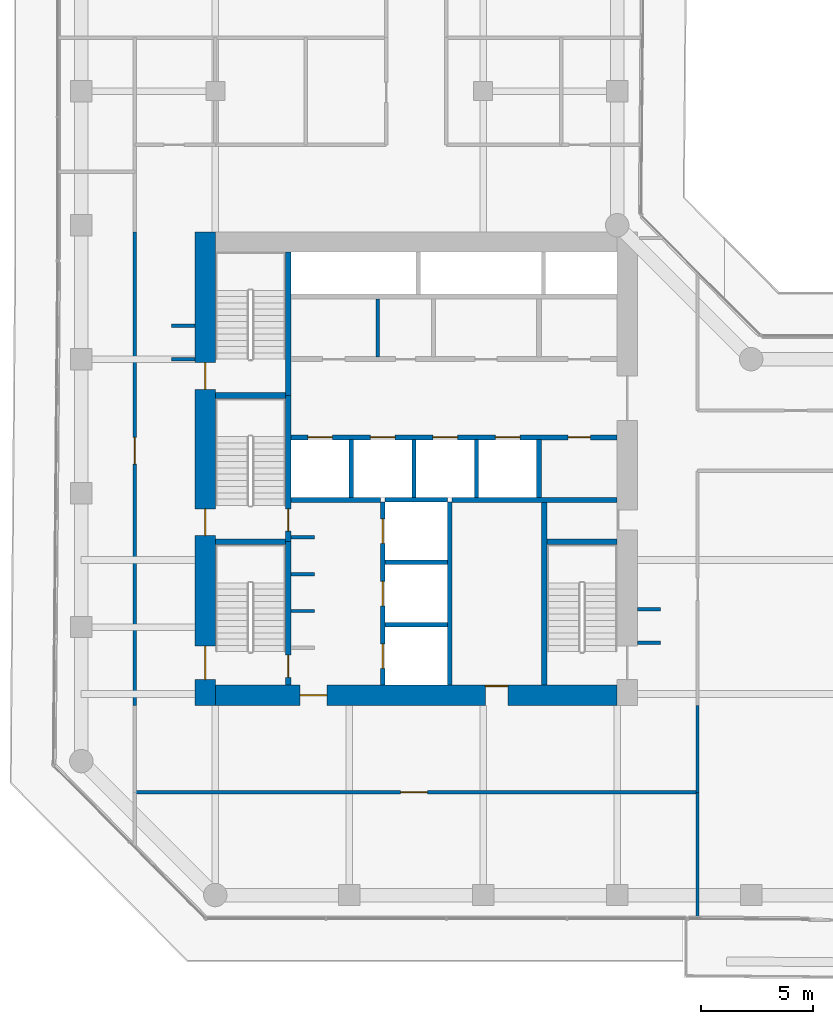
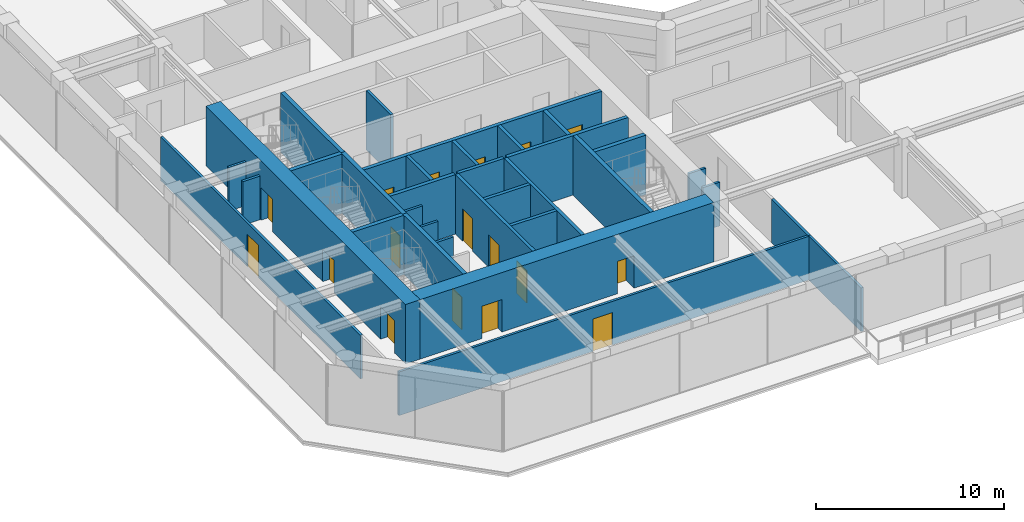
# One storey, part 23 of 29: 33 walls, 17 doors, 17 openings.
"""IFC4 building model written with IfcOpenShell, lengths in metres."""

import ifcopenshell
import ifcopenshell.guid

model = None  # the IFC model being written
_history = None  # IfcOwnerHistory: only IFC2X3 demands one
_inside = {}  # id of a spatial element -> (the spatial element, [elements in it])
_under = {}  # id of a project, library or spatial element -> (it, [spatial elements below it])
_declared = {}  # id of a project -> (the project, [libraries it declares])
_typed = {}  # id of a type object -> (the type object, [elements of that type])
_made_of = {}  # id of a material, layer set ... -> (it, [elements and type objects made of it])


def new_model(schema):
    """Start an empty IFC model of exactly this schema.

    Asked for "IFC4X3", IfcOpenShell would pick the latest addendum, in which some entities
    have other attributes; the version numbers below select the first issue.
    IFC2X3 requires an IfcOwnerHistory on every rooted entity: one is made here for all.
    """
    global model, _history
    if schema == "IFC4X3":
        model = ifcopenshell.file(schema_version=(4, 3, 0, 0))
    else:
        model = ifcopenshell.file(schema=schema)
    _inside.clear()
    _under.clear()
    _declared.clear()
    _typed.clear()
    _made_of.clear()
    _history = None
    if model.schema == "IFC2X3":
        org = make("IfcOrganization", Name="unknown")
        user = make(
            "IfcPersonAndOrganization",
            ThePerson=make("IfcPerson", FamilyName="unknown"),
            TheOrganization=org,
        )
        app = make(
            "IfcApplication",
            ApplicationDeveloper=org,
            Version="unknown",
            ApplicationFullName="unknown",
            ApplicationIdentifier="unknown",
        )
        _history = make(
            "IfcOwnerHistory",
            OwningUser=user,
            OwningApplication=app,
            ChangeAction="ADDED",
            CreationDate=0,
        )
    return model


def make(cls, **values):
    """One entity of the class cls with the attributes given. An attribute that is None is left unset."""
    return model.create_entity(
        cls, **{name: value for name, value in values.items() if value is not None}
    )


def rooted(cls, **values):
    """An entity with a GlobalId (a new one), such as an element, a storey or a relation."""
    return make(cls, GlobalId=ifcopenshell.guid.new(), OwnerHistory=_history, **values)


def si_unit(unit_type, name, prefix=None):
    """IfcSIUnit, for example si_unit("LENGTHUNIT", "METRE", prefix="MILLI")."""
    return make("IfcSIUnit", UnitType=unit_type, Prefix=prefix, Name=name)


def assignment(units):
    """IfcUnitAssignment: the units of a project."""
    return None if units is None else make("IfcUnitAssignment", Units=units)


def point(xyz):
    """IfcCartesianPoint."""
    return None if xyz is None else make("IfcCartesianPoint", Coordinates=xyz)


def direction(xyz):
    """IfcDirection."""
    return None if xyz is None else make("IfcDirection", DirectionRatios=xyz)


def frame(location, z_axis=None, x_axis=None):
    """IfcAxis2Placement3D, a coordinate frame: its origin and axes. An axis left out is left unset."""
    return make(
        "IfcAxis2Placement3D",
        Location=point(location),
        Axis=direction(z_axis),
        RefDirection=direction(x_axis),
    )


def frame_2d(location, x_axis=None):
    """IfcAxis2Placement2D, a coordinate frame in the plane: its origin and x axis."""
    return make(
        "IfcAxis2Placement2D", Location=point(location), RefDirection=direction(x_axis)
    )


def origin():
    """The frame at (0, 0, 0) with its axes left unset."""
    return frame((0.0, 0.0, 0.0))


def place(relative_to, where):
    """IfcLocalPlacement: puts the frame where relative to a parent placement (None: the world)."""
    return make(
        "IfcLocalPlacement", PlacementRelTo=relative_to, RelativePlacement=where
    )


def context(
    kind, dimensions, precision=None, world=None, true_north=None, identifier=None
):
    """IfcGeometricRepresentationContext, for example the 3D "Model" context."""
    return make(
        "IfcGeometricRepresentationContext",
        ContextIdentifier=identifier,
        ContextType=kind,
        CoordinateSpaceDimension=dimensions,
        Precision=precision,
        WorldCoordinateSystem=world,
        TrueNorth=true_north,
    )


def subcontext(parent, identifier, kind, view, scale=None):
    """IfcGeometricRepresentationSubContext, for example "Body" below "Model"."""
    return make(
        "IfcGeometricRepresentationSubContext",
        ContextIdentifier=identifier,
        ContextType=kind,
        ParentContext=parent,
        TargetScale=scale,
        TargetView=view,
    )


def project(units=None, contexts=None):
    """IfcProject with its units and contexts."""
    return rooted(
        "IfcProject",
        Name="project",
        RepresentationContexts=contexts,
        UnitsInContext=assignment(units),
    )


def spatial(cls, under=None, at=None, **own):
    """A site, building, storey or space (cls), placed at a placement, below another one or the project."""
    s = rooted(cls, ObjectPlacement=at, **own)
    if under is not None:
        _under.setdefault(under.id(), (under, []))[1].append(s)
    return s


def profile(cls, at=None, kind="AREA", **sizes):
    """A parametric profile (cls). Its sizes go by their IFC names, for example OverallWidth=200.0."""
    return make(cls, ProfileType=kind, Position=at, **sizes)


def rectangle(**sizes):
    """IfcRectangleProfileDef."""
    return profile("IfcRectangleProfileDef", **sizes)


def extrude(swept, where, along, depth):
    """IfcExtrudedAreaSolid: the profile swept, set in the frame where, extruded along a direction by depth."""
    return make(
        "IfcExtrudedAreaSolid",
        SweptArea=swept,
        Position=where,
        ExtrudedDirection=direction(along),
        Depth=depth,
    )


def shape(context_of_items, identifier, shape_type, items):
    """IfcShapeRepresentation: the items that make up one representation, for example the "Body"."""
    return make(
        "IfcShapeRepresentation",
        ContextOfItems=context_of_items,
        RepresentationIdentifier=identifier,
        RepresentationType=shape_type,
        Items=items,
    )


def material(Name=None, Category=None):
    """IfcMaterial."""
    return make("IfcMaterial", Name=Name, Category=Category)


def layer(
    of_material, thickness, ventilated=None, Name=None, Category=None, Priority=None
):
    """IfcMaterialLayer: one layer of a wall or slab, of a material (None: an air gap)."""
    return make(
        "IfcMaterialLayer",
        Material=of_material,
        LayerThickness=thickness,
        IsVentilated=ventilated,
        Name=Name,
        Category=Category,
        Priority=Priority,
    )


def layer_set(layers, Name=None):
    """IfcMaterialLayerSet."""
    return make("IfcMaterialLayerSet", MaterialLayers=layers, LayerSetName=Name)


def made_of(thing, what):
    """Note that an element or type object is made of a material, layer set ...; save() writes the relation."""
    if what is not None:
        _made_of.setdefault(what.id(), (what, []))[1].append(thing)
    return thing


def type_object(cls, material=None, **own):
    """A type object (cls), such as IfcWallType, which elements share."""
    return made_of(rooted(cls, **own), material)


def element(
    cls,
    number,
    at=None,
    inside=None,
    cuts=None,
    type_object=None,
    material=None,
    context=None,
    identifier="Body",
    shape_type=None,
    held_by="IfcProductDefinitionShape",
    body=None,
    shapes=None,
    **own,
):
    """One element of the class cls, such as IfcWall. Its Tag is "e" and its number.

    at: its placement. inside: the storey or other place that contains it. cuts: it is an
    opening in that element (IfcRelVoidsElement). A single representation is given by context,
    identifier, shape_type and body (its items); several are given by shapes. held_by: the class
    of the entity that holds the representations. save() writes the other relations.
    """
    e = rooted(cls, Tag="e%d" % number, ObjectPlacement=at, **own)
    if body is not None:
        shapes = [shape(context, identifier, shape_type, body)]
    if shapes is not None:
        e.Representation = make(held_by, Representations=shapes)
    if inside is not None:
        _inside.setdefault(inside.id(), (inside, []))[1].append(e)
    if cuts is not None:
        rooted(
            "IfcRelVoidsElement", RelatingBuildingElement=cuts, RelatedOpeningElement=e
        )
    if type_object is not None:
        _typed.setdefault(type_object.id(), (type_object, []))[1].append(e)
    return made_of(e, material)


def fill(opening, filler):
    """IfcRelFillsElement: the door or window that sits in an opening."""
    return rooted(
        "IfcRelFillsElement",
        RelatingOpeningElement=opening,
        RelatedBuildingElement=filler,
    )


def aggregate(whole, parts):
    """IfcRelAggregates: a whole, such as a stair, and the parts it consists of."""
    return rooted("IfcRelAggregates", RelatingObject=whole, RelatedObjects=parts)


def save(model, path):
    """Write the relations noted so far, then the file.

    IfcRelAggregates (storeys below a building ...), IfcRelContainedInSpatialStructure (elements
    in a storey), IfcRelDefinesByType, IfcRelAssociatesMaterial and IfcRelDeclares: one each for
    every whole, place, type object, material and project.
    """
    for whole, parts in _under.values():
        aggregate(whole, parts)
    for where, things in _inside.values():
        rooted(
            "IfcRelContainedInSpatialStructure",
            RelatedElements=things,
            RelatingStructure=where,
        )
    for kind, things in _typed.values():
        rooted("IfcRelDefinesByType", RelatedObjects=things, RelatingType=kind)
    for what, things in _made_of.values():
        rooted("IfcRelAssociatesMaterial", RelatedObjects=things, RelatingMaterial=what)
    for by, libraries in _declared.values():
        rooted("IfcRelDeclares", RelatingContext=by, RelatedDefinitions=libraries)
    model.write(path)


model = new_model("IFC4")

# Units and contexts
model_context = context("Model", 3, precision=1e-05, world=origin(), true_north=direction((0.0, 1.0)))
body_context = subcontext(model_context, "Body", "Model", "MODEL_VIEW")
ifc_project = project(units=[si_unit("LENGTHUNIT", "METRE"), si_unit("AREAUNIT", "SQUARE_METRE"), si_unit("VOLUMEUNIT", "CUBIC_METRE"), si_unit("PLANEANGLEUNIT", "RADIAN"), si_unit("MASSUNIT", "GRAM", prefix="KILO")], contexts=[model_context])

# Site, building, storey
site_placement = place(None, origin())
site = spatial("IfcSite", under=ifc_project, at=site_placement, CompositionType="ELEMENT")
building_placement = place(site_placement, origin())
building = spatial("IfcBuilding", under=site, at=building_placement, Name="Welwitschia Terrace Campus", CompositionType="ELEMENT")
storey_placement = place(building_placement, frame((0.0, 0.0, 50.0)))
storey = spatial("IfcBuildingStorey", under=building, at=storey_placement, Name="L11", CompositionType="ELEMENT", Elevation=50.0)

# Walls
ifc_material_1 = material(Name="Concrete C32/40", Category="concrete")
ifc_layer_1 = layer(ifc_material_1, 0.175048828125)
ifc_layer_set_1 = layer_set([ifc_layer_1], Name="Concrete C32/40")
wall_type_1 = type_object("IfcWallType", Name="Core partition 175 Concrete C32/40", PredefinedType="PARTITIONING", material=ifc_layer_set_1)
wall_1_placement = place(storey_placement, frame((13.27490234375, 20.10009765625, 0.0), z_axis=(0.0, 0.0, 1.0), x_axis=(0.0, 1.0, 0.0)))
element("IfcWall", 1, at=wall_1_placement, inside=storey, type_object=wall_type_1, Name="Core partition", PredefinedType="PARTITIONING", context=body_context, shape_type="SweptSolid", body=[
    extrude(rectangle(XDim=2.599853515625, YDim=0.175048828125, at=frame_2d((1.2998046875, 0.0))), origin(), (0.0, 0.0, 1.0), 3.85009765625),
])
ifc_material_2 = material(Name="Concrete C32/40", Category="concrete")
ifc_layer_2 = layer(ifc_material_2, 0.22509765625)
ifc_layer_set_2 = layer_set([ifc_layer_2], Name="Concrete C32/40")
wall_type_2 = type_object("IfcWallType", Name="Core partition 225 Concrete C32/40", PredefinedType="PARTITIONING", material=ifc_layer_set_2)
wall_2_placement = place(storey_placement, frame((9.39990234375, 13.699951171875, 0.0), z_axis=(0.0, 0.0, 1.0), x_axis=(1.0, 0.0, 0.0)))
element("IfcWall", 2, at=wall_2_placement, inside=storey, type_object=wall_type_2, Name="Shaft wall", PredefinedType="PARTITIONING", context=body_context, shape_type="SweptSolid", body=[
    extrude(rectangle(XDim=4.0, YDim=0.22509765625, at=frame_2d((2.0, 0.0))), origin(), (0.0, 0.0, 1.0), 3.85009765625),
])
wall_3_placement = place(storey_placement, frame((16.60009765625, 13.699951171875, 0.0), z_axis=(0.0, 0.0, 1.0), x_axis=(1.0, 0.0, 0.0)))
element("IfcWall", 3, at=wall_3_placement, inside=storey, type_object=wall_type_2, Name="Shaft wall", PredefinedType="PARTITIONING", context=body_context, shape_type="SweptSolid", body=[
    extrude(rectangle(XDim=7.39990234375, YDim=0.22509765625, at=frame_2d((3.699951171875, 0.0))), origin(), (0.0, 0.0, 1.0), 3.85009765625),
])

# Wall, openings, doors
wall_4_placement = place(storey_placement, frame((9.39990234375, 16.5, 0.0), z_axis=(0.0, 0.0, 1.0), x_axis=(1.0, 0.0, 0.0)))
wall_4 = element("IfcWall", 4, at=wall_4_placement, inside=storey, type_object=wall_type_2, Name="Shaft wall", PredefinedType="PARTITIONING", context=body_context, shape_type="SweptSolid", body=[
    extrude(rectangle(XDim=14.60009765625, YDim=0.22509765625, at=frame_2d((7.300048828125, 0.0))), origin(), (0.0, 0.0, 1.0), 3.85009765625),
])
opening_1_placement = place(wall_4_placement, frame((0.75, 0.0, 0.0)))
opening_1 = element("IfcOpeningElement", 5, at=opening_1_placement, cuts=wall_4, Name="Opening LD", PredefinedType="OPENING", context=body_context, shape_type="SweptSolid", body=[
    extrude(rectangle(XDim=1.10009765625, YDim=2.10009765625, at=frame_2d((0.550048828125, 1.050048828125))), frame((0.0, 0.12255859375, 0.0), z_axis=(0.0, -1.0, 0.0), x_axis=(1.0, 0.0, 0.0)), (0.0, 0.0, 1.0), 0.2451171875),
])
opening_2_placement = place(wall_4_placement, frame((3.550048828125, 0.0, 0.0)))
opening_2 = element("IfcOpeningElement", 6, at=opening_2_placement, cuts=wall_4, Name="Opening LD", PredefinedType="OPENING", context=body_context, shape_type="SweptSolid", body=[
    extrude(rectangle(XDim=1.10009765625, YDim=2.10009765625, at=frame_2d((0.550048828125, 1.050048828125))), frame((0.0, 0.12255859375, 0.0), z_axis=(0.0, -1.0, 0.0), x_axis=(1.0, 0.0, 0.0)), (0.0, 0.0, 1.0), 0.2451171875),
])
opening_3_placement = place(wall_4_placement, frame((6.35009765625, 0.0, 0.0)))
opening_3 = element("IfcOpeningElement", 7, at=opening_3_placement, cuts=wall_4, Name="Opening LD", PredefinedType="OPENING", context=body_context, shape_type="SweptSolid", body=[
    extrude(rectangle(XDim=1.10009765625, YDim=2.10009765625, at=frame_2d((0.550048828125, 1.050048828125))), frame((0.0, 0.12255859375, 0.0), z_axis=(0.0, -1.0, 0.0), x_axis=(1.0, 0.0, 0.0)), (0.0, 0.0, 1.0), 0.2451171875),
])
opening_4_placement = place(wall_4_placement, frame((9.14990234375, 0.0, 0.0)))
opening_4 = element("IfcOpeningElement", 8, at=opening_4_placement, cuts=wall_4, Name="Opening LD", PredefinedType="OPENING", context=body_context, shape_type="SweptSolid", body=[
    extrude(rectangle(XDim=1.10009765625, YDim=2.10009765625, at=frame_2d((0.550048828125, 1.050048828125))), frame((0.0, 0.12255859375, 0.0), z_axis=(0.0, -1.0, 0.0), x_axis=(1.0, 0.0, 0.0)), (0.0, 0.0, 1.0), 0.2451171875),
])
opening_5_placement = place(wall_4_placement, frame((12.39990234375, 0.0, 0.0)))
opening_5 = element("IfcOpeningElement", 9, at=opening_5_placement, cuts=wall_4, Name="Opening DR10", PredefinedType="OPENING", context=body_context, shape_type="SweptSolid", body=[
    extrude(rectangle(XDim=1.0, YDim=2.10009765625, at=frame_2d((0.5, 1.050048828125))), frame((0.0, 0.12255859375, 0.0), z_axis=(0.0, -1.0, 0.0), x_axis=(1.0, 0.0, 0.0)), (0.0, 0.0, 1.0), 0.2451171875),
])
ifc_material_3 = material(Name="Steel S275", Category="steel")
door_type_1 = type_object("IfcDoorType", Name="Core door DR10", OperationType="SINGLE_SWING_LEFT", PredefinedType="DOOR", material=ifc_material_3)
door_1_placement = place(opening_5_placement, origin())
door_1 = element("IfcDoor", 10, at=door_1_placement, inside=storey, type_object=door_type_1, Name="Door EL-D", OperationType="SINGLE_SWING_RIGHT", OverallHeight=2.10009765625, OverallWidth=1.0, PredefinedType="DOOR", context=body_context, shape_type="SweptSolid", body=[
    extrude(rectangle(XDim=1.0, YDim=2.10009765625, at=frame_2d((0.5, 1.050048828125))), frame((0.0, 0.02490234375, 0.0), z_axis=(0.0, -1.0, 0.0), x_axis=(1.0, 0.0, 0.0)), (0.0, 0.0, 1.0), 0.050048828125),
])
fill(opening_5, door_1)
ifc_material_4 = material(Name="Stainless steel 304", Category="steel")
door_type_2 = type_object("IfcDoorType", Name="Lift landing door", OperationType="DOUBLE_DOOR_SLIDING", PredefinedType="DOOR", material=ifc_material_4)
door_2_placement = place(opening_1_placement, origin())
door_2 = element("IfcDoor", 11, at=door_2_placement, inside=storey, type_object=door_type_2, Name="Landing door LR1", OperationType="DOUBLE_DOOR_SLIDING", OverallHeight=2.10009765625, OverallWidth=1.10009765625, PredefinedType="DOOR", context=body_context, shape_type="SweptSolid", body=[
    extrude(rectangle(XDim=1.10009765625, YDim=2.10009765625, at=frame_2d((0.550048828125, 1.050048828125))), frame((0.0, 0.02490234375, 0.0), z_axis=(0.0, -1.0, 0.0), x_axis=(1.0, 0.0, 0.0)), (0.0, 0.0, 1.0), 0.050048828125),
])
fill(opening_1, door_2)
door_3_placement = place(opening_2_placement, origin())
door_3 = element("IfcDoor", 12, at=door_3_placement, inside=storey, type_object=door_type_2, Name="Landing door LR2", OperationType="DOUBLE_DOOR_SLIDING", OverallHeight=2.10009765625, OverallWidth=1.10009765625, PredefinedType="DOOR", context=body_context, shape_type="SweptSolid", body=[
    extrude(rectangle(XDim=1.10009765625, YDim=2.10009765625, at=frame_2d((0.550048828125, 1.050048828125))), frame((0.0, 0.02490234375, 0.0), z_axis=(0.0, -1.0, 0.0), x_axis=(1.0, 0.0, 0.0)), (0.0, 0.0, 1.0), 0.050048828125),
])
fill(opening_2, door_3)
door_4_placement = place(opening_3_placement, origin())
door_4 = element("IfcDoor", 13, at=door_4_placement, inside=storey, type_object=door_type_2, Name="Landing door LR3", OperationType="DOUBLE_DOOR_SLIDING", OverallHeight=2.10009765625, OverallWidth=1.10009765625, PredefinedType="DOOR", context=body_context, shape_type="SweptSolid", body=[
    extrude(rectangle(XDim=1.10009765625, YDim=2.10009765625, at=frame_2d((0.550048828125, 1.050048828125))), frame((0.0, 0.02490234375, 0.0), z_axis=(0.0, -1.0, 0.0), x_axis=(1.0, 0.0, 0.0)), (0.0, 0.0, 1.0), 0.050048828125),
])
fill(opening_3, door_4)
door_5_placement = place(opening_4_placement, origin())
door_5 = element("IfcDoor", 14, at=door_5_placement, inside=storey, type_object=door_type_2, Name="Landing door LR4", OperationType="DOUBLE_DOOR_SLIDING", OverallHeight=2.10009765625, OverallWidth=1.10009765625, PredefinedType="DOOR", context=body_context, shape_type="SweptSolid", body=[
    extrude(rectangle(XDim=1.10009765625, YDim=2.10009765625, at=frame_2d((0.550048828125, 1.050048828125))), frame((0.0, 0.02490234375, 0.0), z_axis=(0.0, -1.0, 0.0), x_axis=(1.0, 0.0, 0.0)), (0.0, 0.0, 1.0), 0.050048828125),
])
fill(opening_4, door_5)

# Walls
wall_5_placement = place(storey_placement, frame((20.5, 13.800048828125, 0.0), z_axis=(0.0, 0.0, 1.0), x_axis=(0.0, 1.0, 0.0)))
element("IfcWall", 15, at=wall_5_placement, inside=storey, type_object=wall_type_2, Name="Shaft wall", PredefinedType="PARTITIONING", context=body_context, shape_type="SweptSolid", body=[
    extrude(rectangle(XDim=2.599853515625, YDim=0.22509765625, at=frame_2d((1.2998046875, 0.0))), origin(), (0.0, 0.0, 1.0), 3.85009765625),
])
ifc_material_5 = material(Name="Concrete C50/60", Category="concrete")
ifc_layer_3 = layer(ifc_material_5, 0.14990234375)
ifc_layer_set_3 = layer_set([ifc_layer_3], Name="Concrete C50/60")
wall_type_3 = type_object("IfcWallType", Name="Core wall 150 Concrete C50/60", PredefinedType="SHEAR", material=ifc_layer_set_3)
for number, where, z_axis, x_axis, name in (
    (16, (9.39990234375, 8.72509765625, 0.0), (0.0, 0.0, 1.0), (1.0, 0.0, 0.0), "Core wall"),
    (17, (9.39990234375, 10.375, 0.0), (0.0, 0.0, 1.0), (1.0, 0.0, 0.0), "Core wall"),
    (18, (9.39990234375, 12.02490234375, 0.0), (0.0, 0.0, 1.0), (1.0, 0.0, 0.0), "Core wall"),
):
    element("IfcWall", number, at=place(storey_placement, frame(where, z_axis=z_axis, x_axis=x_axis)), inside=storey, type_object=wall_type_3, Name=name, PredefinedType="SHEAR", context=body_context, shape_type="SweptSolid", body=[
        extrude(rectangle(XDim=1.050048828125, YDim=0.14990234375, at=frame_2d((0.52490234375, 0.0))), origin(), (0.0, 0.0, 1.0), 3.85009765625),
    ])
ifc_material_6 = material(Name="Concrete C50/60", Category="concrete")
ifc_layer_4 = layer(ifc_material_6, 0.199951171875)
ifc_layer_set_4 = layer_set([ifc_layer_4], Name="Concrete C50/60")
wall_type_4 = type_object("IfcWallType", Name="Core wall 200 Concrete C50/60", PredefinedType="SHEAR", material=ifc_layer_set_4)
for number, where, z_axis, x_axis, name in (
    (19, (13.60009765625, 8.10009765625, 0.0), (0.0, 0.0, 1.0), (1.0, 0.0, 0.0), "Core wall"),
    (20, (13.60009765625, 10.89990234375, 0.0), (0.0, 0.0, 1.0), (1.0, 0.0, 0.0), "Core wall"),
    (21, (13.60009765625, 13.699951171875, 0.0), (0.0, 0.0, 1.0), (1.0, 0.0, 0.0), "Core wall"),
):
    element("IfcWall", number, at=place(storey_placement, frame(where, z_axis=z_axis, x_axis=x_axis)), inside=storey, type_object=wall_type_4, Name=name, PredefinedType="SHEAR", context=body_context, shape_type="SweptSolid", body=[
        extrude(rectangle(XDim=2.7998046875, YDim=0.199951171875, at=frame_2d((1.39990234375, 0.0))), origin(), (0.0, 0.0, 1.0), 3.85009765625),
    ])

# Wall, openings, doors
wall_6_placement = place(storey_placement, frame((13.5, 5.39990234375, 0.0), z_axis=(0.0, 0.0, 1.0), x_axis=(0.0, 1.0, 0.0)))
wall_6 = element("IfcWall", 22, at=wall_6_placement, inside=storey, type_object=wall_type_4, Name="Core wall", PredefinedType="SHEAR", context=body_context, shape_type="SweptSolid", body=[
    extrude(rectangle(XDim=8.2001953125, YDim=0.199951171875, at=frame_2d((4.10009765625, 0.0))), origin(), (0.0, 0.0, 1.0), 3.85009765625),
])
opening_6_placement = place(wall_6_placement, frame((0.75, 0.0, 0.0)))
opening_6 = element("IfcOpeningElement", 23, at=opening_6_placement, cuts=wall_6, Name="Opening LD", PredefinedType="OPENING", context=body_context, shape_type="SweptSolid", body=[
    extrude(rectangle(XDim=1.10009765625, YDim=2.10009765625, at=frame_2d((0.550048828125, 1.050048828125))), frame((0.0, 0.10986328125, 0.0), z_axis=(0.0, -1.0, 0.0), x_axis=(1.0, 0.0, 0.0)), (0.0, 0.0, 1.0), 0.219970703125),
])
opening_7_placement = place(wall_6_placement, frame((3.550048828125, 0.0, 0.0)))
opening_7 = element("IfcOpeningElement", 24, at=opening_7_placement, cuts=wall_6, Name="Opening LD", PredefinedType="OPENING", context=body_context, shape_type="SweptSolid", body=[
    extrude(rectangle(XDim=1.10009765625, YDim=2.10009765625, at=frame_2d((0.550048828125, 1.050048828125))), frame((0.0, 0.10986328125, 0.0), z_axis=(0.0, -1.0, 0.0), x_axis=(1.0, 0.0, 0.0)), (0.0, 0.0, 1.0), 0.219970703125),
])
opening_8_placement = place(wall_6_placement, frame((6.35009765625, 0.0, 0.0)))
opening_8 = element("IfcOpeningElement", 25, at=opening_8_placement, cuts=wall_6, Name="Opening LD", PredefinedType="OPENING", context=body_context, shape_type="SweptSolid", body=[
    extrude(rectangle(XDim=1.10009765625, YDim=2.10009765625, at=frame_2d((0.550048828125, 1.050048828125))), frame((0.0, 0.10986328125, 0.0), z_axis=(0.0, -1.0, 0.0), x_axis=(1.0, 0.0, 0.0)), (0.0, 0.0, 1.0), 0.219970703125),
])
door_6_placement = place(opening_6_placement, origin())
door_6 = element("IfcDoor", 26, at=door_6_placement, inside=storey, type_object=door_type_2, Name="Landing door FF1", OperationType="DOUBLE_DOOR_SLIDING", OverallHeight=2.10009765625, OverallWidth=1.10009765625, PredefinedType="DOOR", context=body_context, shape_type="SweptSolid", body=[
    extrude(rectangle(XDim=1.10009765625, YDim=2.10009765625, at=frame_2d((0.550048828125, 1.050048828125))), frame((0.0, 0.02490234375, 0.0), z_axis=(0.0, -1.0, 0.0), x_axis=(1.0, 0.0, 0.0)), (0.0, 0.0, 1.0), 0.050048828125),
])
fill(opening_6, door_6)
door_7_placement = place(opening_7_placement, origin())
door_7 = element("IfcDoor", 27, at=door_7_placement, inside=storey, type_object=door_type_2, Name="Landing door FF2", OperationType="DOUBLE_DOOR_SLIDING", OverallHeight=2.10009765625, OverallWidth=1.10009765625, PredefinedType="DOOR", context=body_context, shape_type="SweptSolid", body=[
    extrude(rectangle(XDim=1.10009765625, YDim=2.10009765625, at=frame_2d((0.550048828125, 1.050048828125))), frame((0.0, 0.02490234375, 0.0), z_axis=(0.0, -1.0, 0.0), x_axis=(1.0, 0.0, 0.0)), (0.0, 0.0, 1.0), 0.050048828125),
])
fill(opening_7, door_7)
door_8_placement = place(opening_8_placement, origin())
door_8 = element("IfcDoor", 28, at=door_8_placement, inside=storey, type_object=door_type_2, Name="Landing door SV1", OperationType="DOUBLE_DOOR_SLIDING", OverallHeight=2.10009765625, OverallWidth=1.10009765625, PredefinedType="DOOR", context=body_context, shape_type="SweptSolid", body=[
    extrude(rectangle(XDim=1.10009765625, YDim=2.10009765625, at=frame_2d((0.550048828125, 1.050048828125))), frame((0.0, 0.02490234375, 0.0), z_axis=(0.0, -1.0, 0.0), x_axis=(1.0, 0.0, 0.0)), (0.0, 0.0, 1.0), 0.050048828125),
])
fill(opening_8, door_8)

# Walls
wall_7_placement = place(storey_placement, frame((16.5, 5.39990234375, 0.0), z_axis=(0.0, 0.0, 1.0), x_axis=(0.0, 1.0, 0.0)))
element("IfcWall", 29, at=wall_7_placement, inside=storey, type_object=wall_type_4, Name="Core wall", PredefinedType="SHEAR", context=body_context, shape_type="SweptSolid", body=[
    extrude(rectangle(XDim=8.2001953125, YDim=0.199951171875, at=frame_2d((4.10009765625, 0.0))), origin(), (0.0, 0.0, 1.0), 3.85009765625),
])
ifc_material_7 = material(Name="Concrete C50/60", Category="concrete")
ifc_layer_5 = layer(ifc_material_7, 0.25)
ifc_layer_set_5 = layer_set([ifc_layer_5], Name="Concrete C50/60")
wall_type_5 = type_object("IfcWallType", Name="Core wall 250 Concrete C50/60", PredefinedType="SHEAR", material=ifc_layer_set_5)
for number, where, z_axis, x_axis, name in (
    (30, (6.0, 11.824951171875, 0.0), (0.0, 0.0, 1.0), (1.0, 0.0, 0.0), "Core wall"),
    (31, (20.85009765625, 11.824951171875, 0.0), (0.0, 0.0, 1.0), (1.0, 0.0, 0.0), "Core wall"),
    (32, (6.0, 18.375, 0.0), (0.0, 0.0, 1.0), (1.0, 0.0, 0.0), "Core wall"),
):
    element("IfcWall", number, at=place(storey_placement, frame(where, z_axis=z_axis, x_axis=x_axis)), inside=storey, type_object=wall_type_5, Name=name, PredefinedType="SHEAR", context=body_context, shape_type="SweptSolid", body=[
        extrude(rectangle(XDim=3.14990234375, YDim=0.25, at=frame_2d((1.574951171875, 0.0))), origin(), (0.0, 0.0, 1.0), 3.85009765625),
    ])

# Wall, opening, door
wall_8_placement = place(storey_placement, frame((9.27490234375, 11.824951171875, 0.0), z_axis=(0.0, 0.0, 1.0), x_axis=(0.0, -1.0, 0.0)))
wall_8 = element("IfcWall", 33, at=wall_8_placement, inside=storey, type_object=wall_type_5, Name="Core wall", PredefinedType="SHEAR", context=body_context, shape_type="SweptSolid", body=[
    extrude(rectangle(XDim=6.425048828125, YDim=0.25, at=frame_2d((3.21240234375, 0.0))), origin(), (0.0, 0.0, 1.0), 3.85009765625),
])
opening_9_placement = place(wall_8_placement, frame((5.074951171875, 0.0, 0.0)))
opening_9 = element("IfcOpeningElement", 34, at=opening_9_placement, cuts=wall_8, Name="Opening DS10", PredefinedType="OPENING", context=body_context, shape_type="SweptSolid", body=[
    extrude(rectangle(XDim=1.0, YDim=2.10009765625, at=frame_2d((0.5, 1.050048828125))), frame((0.0, 0.135009765625, 0.0), z_axis=(0.0, -1.0, 0.0), x_axis=(1.0, 0.0, 0.0)), (0.0, 0.0, 1.0), 0.27001953125),
])
ifc_material_8 = material(Name="Steel S275", Category="steel")
door_type_3 = type_object("IfcDoorType", Name="Core door DS10", OperationType="SINGLE_SWING_LEFT", PredefinedType="DOOR", material=ifc_material_8)
door_9_placement = place(opening_9_placement, origin())
door_9 = element("IfcDoor", 35, at=door_9_placement, inside=storey, type_object=door_type_3, Name="Door S1-FL", OperationType="SINGLE_SWING_RIGHT", OverallHeight=2.10009765625, OverallWidth=1.0, PredefinedType="DOOR", context=body_context, shape_type="SweptSolid", body=[
    extrude(rectangle(XDim=1.0, YDim=2.10009765625, at=frame_2d((0.5, 1.050048828125))), frame((0.0, 0.02490234375, 0.0), z_axis=(0.0, -1.0, 0.0), x_axis=(1.0, 0.0, 0.0)), (0.0, 0.0, 1.0), 0.050048828125),
])
fill(opening_9, door_9)

wall_9_placement = place(storey_placement, frame((9.27490234375, 18.375, 0.0), z_axis=(0.0, 0.0, 1.0), x_axis=(0.0, -1.0, 0.0)))
wall_9 = element("IfcWall", 36, at=wall_9_placement, inside=storey, type_object=wall_type_5, Name="Core wall", PredefinedType="SHEAR", context=body_context, shape_type="SweptSolid", body=[
    extrude(rectangle(XDim=6.550048828125, YDim=0.25, at=frame_2d((3.27490234375, 0.0))), origin(), (0.0, 0.0, 1.0), 3.85009765625),
])
opening_10_placement = place(wall_9_placement, frame((5.074951171875, 0.0, 0.0)))
opening_10 = element("IfcOpeningElement", 37, at=opening_10_placement, cuts=wall_9, Name="Opening DS10", PredefinedType="OPENING", context=body_context, shape_type="SweptSolid", body=[
    extrude(rectangle(XDim=1.0, YDim=2.10009765625, at=frame_2d((0.5, 1.050048828125))), frame((0.0, 0.135009765625, 0.0), z_axis=(0.0, -1.0, 0.0), x_axis=(1.0, 0.0, 0.0)), (0.0, 0.0, 1.0), 0.27001953125),
])
door_10_placement = place(opening_10_placement, origin())
door_10 = element("IfcDoor", 38, at=door_10_placement, inside=storey, type_object=door_type_3, Name="Door S3-FL", OperationType="SINGLE_SWING_RIGHT", OverallHeight=2.10009765625, OverallWidth=1.0, PredefinedType="DOOR", context=body_context, shape_type="SweptSolid", body=[
    extrude(rectangle(XDim=1.0, YDim=2.10009765625, at=frame_2d((0.5, 1.050048828125))), frame((0.0, 0.02490234375, 0.0), z_axis=(0.0, -1.0, 0.0), x_axis=(1.0, 0.0, 0.0)), (0.0, 0.0, 1.0), 0.050048828125),
])
fill(opening_10, door_10)

# Walls
wall_10_placement = place(storey_placement, frame((9.27490234375, 18.375, 0.0), z_axis=(0.0, 0.0, 1.0), x_axis=(0.0, 1.0, 0.0)))
element("IfcWall", 39, at=wall_10_placement, inside=storey, type_object=wall_type_5, Name="Core wall", PredefinedType="SHEAR", context=body_context, shape_type="SweptSolid", body=[
    extrude(rectangle(XDim=6.425048828125, YDim=0.25, at=frame_2d((3.21240234375, 0.0))), origin(), (0.0, 0.0, 1.0), 3.85009765625),
])
wall_11_placement = place(storey_placement, frame((20.72509765625, 5.39990234375, 0.0), z_axis=(0.0, 0.0, 1.0), x_axis=(0.0, 1.0, 0.0)))
element("IfcWall", 40, at=wall_11_placement, inside=storey, type_object=wall_type_5, Name="Core wall", PredefinedType="SHEAR", context=body_context, shape_type="SweptSolid", body=[
    extrude(rectangle(XDim=8.2001953125, YDim=0.25, at=frame_2d((4.10009765625, 0.0))), origin(), (0.0, 0.0, 1.0), 3.85009765625),
])

# Wall, openings, doors
ifc_material_9 = material(Name="Concrete C70/85", Category="concrete")
ifc_layer_6 = layer(ifc_material_9, 0.89990234375)
ifc_layer_set_6 = layer_set([ifc_layer_6], Name="Concrete C70/85")
wall_type_6 = type_object("IfcWallType", Name="Core wall 900 Concrete C70/85", PredefinedType="SHEAR", material=ifc_layer_set_6)
wall_12_placement = place(storey_placement, frame((5.550048828125, 4.5, 0.0), z_axis=(0.0, 0.0, 1.0), x_axis=(0.0, 1.0, 0.0)))
wall_12 = element("IfcWall", 41, at=wall_12_placement, inside=storey, type_object=wall_type_6, Name="Core outer wall", PredefinedType="SHEAR", context=body_context, shape_type="SweptSolid", body=[
    extrude(rectangle(XDim=21.199951171875, YDim=0.89990234375, at=frame_2d((10.60009765625, 0.0))), origin(), (0.0, 0.0, 1.0), 3.85009765625),
])
opening_11_placement = place(wall_12_placement, frame((1.14990234375, 0.0, 0.0)))
opening_11 = element("IfcOpeningElement", 42, at=opening_11_placement, cuts=wall_12, Name="Opening DS15", PredefinedType="OPENING", context=body_context, shape_type="SweptSolid", body=[
    extrude(rectangle(XDim=1.5, YDim=2.10009765625, at=frame_2d((0.75, 1.050048828125))), frame((0.0, 0.4599609375, 0.0), z_axis=(0.0, -1.0, 0.0), x_axis=(1.0, 0.0, 0.0)), (0.0, 0.0, 1.0), 0.919921875),
])
opening_12_placement = place(wall_12_placement, frame((7.60009765625, 0.0, 0.0)))
opening_12 = element("IfcOpeningElement", 43, at=opening_12_placement, cuts=wall_12, Name="Opening DS12", PredefinedType="OPENING", context=body_context, shape_type="SweptSolid", body=[
    extrude(rectangle(XDim=1.199951171875, YDim=2.10009765625, at=frame_2d((0.60009765625, 1.050048828125))), frame((0.0, 0.4599609375, 0.0), z_axis=(0.0, -1.0, 0.0), x_axis=(1.0, 0.0, 0.0)), (0.0, 0.0, 1.0), 0.919921875),
])
opening_13_placement = place(wall_12_placement, frame((14.14990234375, 0.0, 0.0)))
opening_13 = element("IfcOpeningElement", 44, at=opening_13_placement, cuts=wall_12, Name="Opening DS12", PredefinedType="OPENING", context=body_context, shape_type="SweptSolid", body=[
    extrude(rectangle(XDim=1.199951171875, YDim=2.10009765625, at=frame_2d((0.60009765625, 1.050048828125))), frame((0.0, 0.4599609375, 0.0), z_axis=(0.0, -1.0, 0.0), x_axis=(1.0, 0.0, 0.0)), (0.0, 0.0, 1.0), 0.919921875),
])
ifc_material_10 = material(Name="Steel S275", Category="steel")
door_type_4 = type_object("IfcDoorType", Name="Core door DS12", OperationType="SINGLE_SWING_LEFT", PredefinedType="DOOR", material=ifc_material_10)
door_11_placement = place(opening_12_placement, origin())
door_11 = element("IfcDoor", 45, at=door_11_placement, inside=storey, type_object=door_type_4, Name="Door S3-out", OperationType="SINGLE_SWING_LEFT", OverallHeight=2.10009765625, OverallWidth=1.199951171875, PredefinedType="DOOR", context=body_context, shape_type="SweptSolid", body=[
    extrude(rectangle(XDim=1.199951171875, YDim=2.10009765625, at=frame_2d((0.60009765625, 1.050048828125))), frame((0.0, 0.02490234375, 0.0), z_axis=(0.0, -1.0, 0.0), x_axis=(1.0, 0.0, 0.0)), (0.0, 0.0, 1.0), 0.050048828125),
])
fill(opening_12, door_11)
door_12_placement = place(opening_13_placement, origin())
door_12 = element("IfcDoor", 46, at=door_12_placement, inside=storey, type_object=door_type_4, Name="Door S4-out", OperationType="SINGLE_SWING_RIGHT", OverallHeight=2.10009765625, OverallWidth=1.199951171875, PredefinedType="DOOR", context=body_context, shape_type="SweptSolid", body=[
    extrude(rectangle(XDim=1.199951171875, YDim=2.10009765625, at=frame_2d((0.60009765625, 1.050048828125))), frame((0.0, 0.02490234375, 0.0), z_axis=(0.0, -1.0, 0.0), x_axis=(1.0, 0.0, 0.0)), (0.0, 0.0, 1.0), 0.050048828125),
])
fill(opening_13, door_12)
ifc_material_11 = material(Name="Steel S275", Category="steel")
door_type_5 = type_object("IfcDoorType", Name="Core door DS15", OperationType="DOUBLE_DOOR_SINGLE_SWING", PredefinedType="DOOR", material=ifc_material_11)
door_13_placement = place(opening_11_placement, origin())
door_13 = element("IfcDoor", 47, at=door_13_placement, inside=storey, type_object=door_type_5, Name="Door S1-out", OperationType="DOUBLE_DOOR_SINGLE_SWING", OverallHeight=2.10009765625, OverallWidth=1.5, PredefinedType="DOOR", context=body_context, shape_type="SweptSolid", body=[
    extrude(rectangle(XDim=1.5, YDim=2.10009765625, at=frame_2d((0.75, 1.050048828125))), frame((0.0, 0.02490234375, 0.0), z_axis=(0.0, -1.0, 0.0), x_axis=(1.0, 0.0, 0.0)), (0.0, 0.0, 1.0), 0.050048828125),
])
fill(opening_11, door_13)

wall_13_placement = place(storey_placement, frame((24.0, 4.949951171875, 0.0), z_axis=(0.0, 0.0, 1.0), x_axis=(-1.0, 0.0, 0.0)))
wall_13 = element("IfcWall", 48, at=wall_13_placement, inside=storey, type_object=wall_type_6, Name="Core outer wall", PredefinedType="SHEAR", context=body_context, shape_type="SweptSolid", body=[
    extrude(rectangle(XDim=18.0, YDim=0.89990234375, at=frame_2d((9.0, 0.0))), origin(), (0.0, 0.0, 1.0), 3.85009765625),
])
opening_14_placement = place(wall_13_placement, frame((13.0, 0.0, 0.0)))
opening_14 = element("IfcOpeningElement", 49, at=opening_14_placement, cuts=wall_13, Name="Opening DF12", PredefinedType="OPENING", context=body_context, shape_type="SweptSolid", body=[
    extrude(rectangle(XDim=1.199951171875, YDim=2.10009765625, at=frame_2d((0.60009765625, 1.050048828125))), frame((0.0, 0.4599609375, 0.0), z_axis=(0.0, -1.0, 0.0), x_axis=(1.0, 0.0, 0.0)), (0.0, 0.0, 1.0), 0.919921875),
])
opening_15_placement = place(wall_13_placement, frame((4.89990234375, 0.0, 0.0)))
opening_15 = element("IfcOpeningElement", 50, at=opening_15_placement, cuts=wall_13, Name="Opening DR10", PredefinedType="OPENING", context=body_context, shape_type="SweptSolid", body=[
    extrude(rectangle(XDim=1.0, YDim=2.10009765625, at=frame_2d((0.5, 1.050048828125))), frame((0.0, 0.4599609375, 0.0), z_axis=(0.0, -1.0, 0.0), x_axis=(1.0, 0.0, 0.0)), (0.0, 0.0, 1.0), 0.919921875),
])
ifc_material_12 = material(Name="Steel S275", Category="steel")
door_type_6 = type_object("IfcDoorType", Name="Core door DF12", OperationType="SINGLE_SWING_LEFT", PredefinedType="DOOR", material=ifc_material_12)
door_14_placement = place(opening_14_placement, origin())
door_14 = element("IfcDoor", 51, at=door_14_placement, inside=storey, type_object=door_type_6, Name="Door FL-out", OperationType="SINGLE_SWING_RIGHT", OverallHeight=2.10009765625, OverallWidth=1.199951171875, PredefinedType="DOOR", context=body_context, shape_type="SweptSolid", body=[
    extrude(rectangle(XDim=1.199951171875, YDim=2.10009765625, at=frame_2d((0.60009765625, 1.050048828125))), frame((0.0, 0.02490234375, 0.0), z_axis=(0.0, -1.0, 0.0), x_axis=(1.0, 0.0, 0.0)), (0.0, 0.0, 1.0), 0.050048828125),
])
fill(opening_14, door_14)
door_15_placement = place(opening_15_placement, origin())
door_15 = element("IfcDoor", 52, at=door_15_placement, inside=storey, type_object=door_type_1, Name="Door F1-out", OperationType="SINGLE_SWING_LEFT", OverallHeight=2.10009765625, OverallWidth=1.0, PredefinedType="DOOR", context=body_context, shape_type="SweptSolid", body=[
    extrude(rectangle(XDim=1.0, YDim=2.10009765625, at=frame_2d((0.5, 1.050048828125))), frame((0.0, -0.39013671875, 0.0), z_axis=(0.0, -1.0, 0.0), x_axis=(1.0, 0.0, 0.0)), (0.0, 0.0, 1.0), 0.050048828125),
])
fill(opening_15, door_15)

# Wall, opening, door
ifc_material_13 = material(Name="Gypsum board on steel studs", Category="steel")
ifc_layer_7 = layer(ifc_material_13, 0.14990234375)
ifc_layer_set_7 = layer_set([ifc_layer_7], Name="Gypsum board on steel studs")
wall_type_7 = type_object("IfcWallType", Name="Corridor partition 150 EI 30", PredefinedType="PARTITIONING", material=ifc_layer_set_7)
wall_14_placement = place(storey_placement, frame((2.39990234375, 4.5, 0.0), z_axis=(0.0, 0.0, 1.0), x_axis=(0.0, 1.0, 0.0)))
wall_14 = element("IfcWall", 53, at=wall_14_placement, inside=storey, type_object=wall_type_7, Name="Partition", PredefinedType="PARTITIONING", context=body_context, shape_type="SweptSolid", body=[
    extrude(rectangle(XDim=21.199951171875, YDim=0.14990234375, at=frame_2d((10.60009765625, 0.0))), origin(), (0.0, 0.0, 1.0), 2.830078125),
])
opening_16_placement = place(wall_14_placement, frame((10.800048828125, 0.0, 0.0)))
opening_16 = element("IfcOpeningElement", 54, at=opening_16_placement, cuts=wall_14, Name="Opening DI12", PredefinedType="OPENING", context=body_context, shape_type="SweptSolid", body=[
    extrude(rectangle(XDim=1.199951171875, YDim=2.10009765625, at=frame_2d((0.60009765625, 1.050048828125))), frame((0.0, 0.0849609375, 0.0), z_axis=(0.0, -1.0, 0.0), x_axis=(1.0, 0.0, 0.0)), (0.0, 0.0, 1.0), 0.169921875),
])
ifc_material_14 = material(Name="Timber veneered door", Category="wood")
door_type_7 = type_object("IfcDoorType", Name="Interior door DI12", OperationType="NOTDEFINED", PredefinedType="DOOR", material=ifc_material_14)
door_16_placement = place(opening_16_placement, origin())
door_16 = element("IfcDoor", 55, at=door_16_placement, inside=storey, type_object=door_type_7, Name="Door L11 248", OperationType="SINGLE_SWING_LEFT", OverallHeight=2.10009765625, OverallWidth=1.199951171875, PredefinedType="DOOR", context=body_context, shape_type="SweptSolid", body=[
    extrude(rectangle(XDim=1.199951171875, YDim=2.10009765625, at=frame_2d((0.60009765625, 1.050048828125))), frame((0.0, 0.02490234375, 0.0), z_axis=(0.0, -1.0, 0.0), x_axis=(1.0, 0.0, 0.0)), (0.0, 0.0, 1.0), 0.050048828125),
])
fill(opening_16, door_16)

# Walls
for number, where, z_axis, x_axis, name in (
    (56, (4.050048828125, 20.0, 0.0), (0.0, 0.0, 1.0), (1.0, 0.0, 0.0), "Partition"),
    (57, (4.050048828125, 21.5, 0.0), (0.0, 0.0, 1.0), (1.0, 0.0, 0.0), "Partition"),
    (58, (24.89990234375, 7.300048828125, 0.0), (0.0, 0.0, 1.0), (1.0, 0.0, 0.0), "Partition"),
    (59, (24.89990234375, 8.800048828125, 0.0), (0.0, 0.0, 1.0), (1.0, 0.0, 0.0), "Partition"),
):
    element("IfcWall", number, at=place(storey_placement, frame(where, z_axis=z_axis, x_axis=x_axis)), inside=storey, type_object=wall_type_7, Name=name, PredefinedType="PARTITIONING", context=body_context, shape_type="SweptSolid", body=[
        extrude(rectangle(XDim=1.050048828125, YDim=0.14990234375, at=frame_2d((0.52490234375, 0.0))), origin(), (0.0, 0.0, 1.0), 2.830078125),
    ])
wall_15_placement = place(storey_placement, frame((27.60009765625, -5.010009765625, 0.0), z_axis=(0.0, 0.0, 1.0), x_axis=(0.0, 1.0, 0.0)))
element("IfcWall", 60, at=wall_15_placement, inside=storey, type_object=wall_type_7, Name="Partition", PredefinedType="PARTITIONING", context=body_context, shape_type="SweptSolid", body=[
    extrude(rectangle(XDim=5.610107421875, YDim=0.14990234375, at=frame_2d((2.80517578125, 0.0))), origin(), (0.0, 0.0, 1.0), 2.830078125),
])

# Wall, opening, door
wall_16_placement = place(storey_placement, frame((27.60009765625, 0.60009765625, 0.0), z_axis=(0.0, 0.0, 1.0), x_axis=(-1.0, 0.0, 0.0)))
wall_16 = element("IfcWall", 61, at=wall_16_placement, inside=storey, type_object=wall_type_7, Name="Partition", PredefinedType="PARTITIONING", context=body_context, shape_type="SweptSolid", body=[
    extrude(rectangle(XDim=25.2001953125, YDim=0.14990234375, at=frame_2d((12.60009765625, 0.0))), origin(), (0.0, 0.0, 1.0), 2.830078125),
])
opening_17_placement = place(wall_16_placement, frame((12.10009765625, 0.0, 0.0)))
opening_17 = element("IfcOpeningElement", 62, at=opening_17_placement, cuts=wall_16, Name="Opening DI12", PredefinedType="OPENING", context=body_context, shape_type="SweptSolid", body=[
    extrude(rectangle(XDim=1.199951171875, YDim=2.10009765625, at=frame_2d((0.60009765625, 1.050048828125))), frame((0.0, 0.0849609375, 0.0), z_axis=(0.0, -1.0, 0.0), x_axis=(1.0, 0.0, 0.0)), (0.0, 0.0, 1.0), 0.169921875),
])
door_17_placement = place(opening_17_placement, origin())
door_17 = element("IfcDoor", 63, at=door_17_placement, inside=storey, type_object=door_type_7, Name="Door L11 258", OperationType="SINGLE_SWING_LEFT", OverallHeight=2.10009765625, OverallWidth=1.199951171875, PredefinedType="DOOR", context=body_context, shape_type="SweptSolid", body=[
    extrude(rectangle(XDim=1.199951171875, YDim=2.10009765625, at=frame_2d((0.60009765625, 1.050048828125))), frame((0.0, 0.02490234375, 0.0), z_axis=(0.0, -1.0, 0.0), x_axis=(1.0, 0.0, 0.0)), (0.0, 0.0, 1.0), 0.050048828125),
])
fill(opening_17, door_17)

# Walls
wall_17_placement = place(storey_placement, frame((27.60009765625, 0.60009765625, 0.0), z_axis=(0.0, 0.0, 1.0), x_axis=(0.0, 1.0, 0.0)))
element("IfcWall", 64, at=wall_17_placement, inside=storey, type_object=wall_type_7, Name="Partition", PredefinedType="PARTITIONING", context=body_context, shape_type="SweptSolid", body=[
    extrude(rectangle(XDim=3.89990234375, YDim=0.14990234375, at=frame_2d((1.949951171875, 0.0))), origin(), (0.0, 0.0, 1.0), 2.830078125),
])
ifc_material_15 = material(Name="Concrete C32/40", Category="concrete")
ifc_layer_8 = layer(ifc_material_15, 0.199951171875)
ifc_layer_set_8 = layer_set([ifc_layer_8], Name="Concrete C32/40")
wall_type_8 = type_object("IfcWallType", Name="Shaft wall 200 Concrete C32/40", PredefinedType="SOLIDWALL", material=ifc_layer_set_8)
for number, where, z_axis, x_axis, name in (
    (65, (12.10009765625, 13.800048828125, 0.0), (0.0, 0.0, 1.0), (0.0, 1.0, 0.0), "Shaft wall"),
    (66, (14.89990234375, 13.800048828125, 0.0), (0.0, 0.0, 1.0), (0.0, 1.0, 0.0), "Shaft wall"),
    (67, (17.699951171875, 13.800048828125, 0.0), (0.0, 0.0, 1.0), (0.0, 1.0, 0.0), "Shaft wall"),
):
    element("IfcWall", number, at=place(storey_placement, frame(where, z_axis=z_axis, x_axis=x_axis)), inside=storey, type_object=wall_type_8, Name=name, PredefinedType="SOLIDWALL", context=body_context, shape_type="SweptSolid", body=[
        extrude(rectangle(XDim=2.599853515625, YDim=0.199951171875, at=frame_2d((1.2998046875, 0.0))), origin(), (0.0, 0.0, 1.0), 3.85009765625),
    ])

save(model, "model.ifc")
